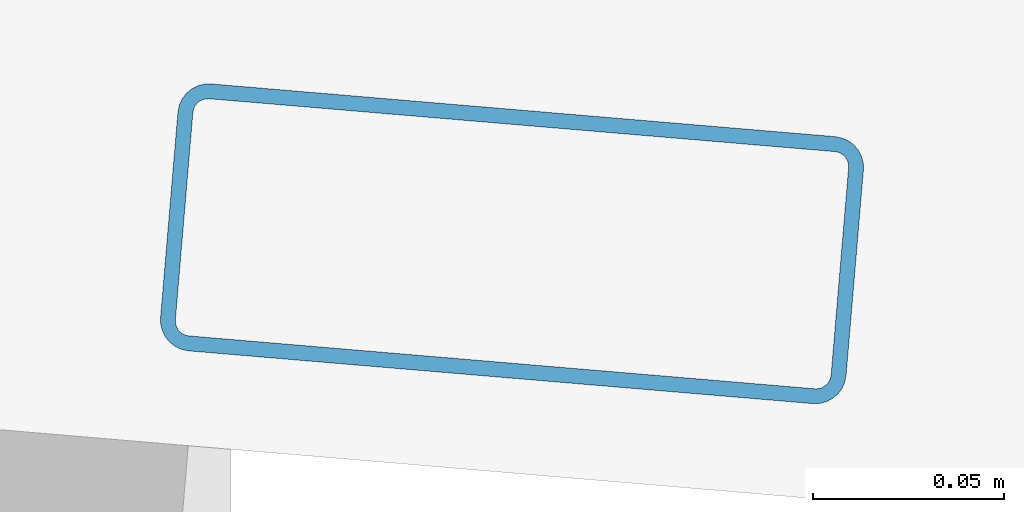
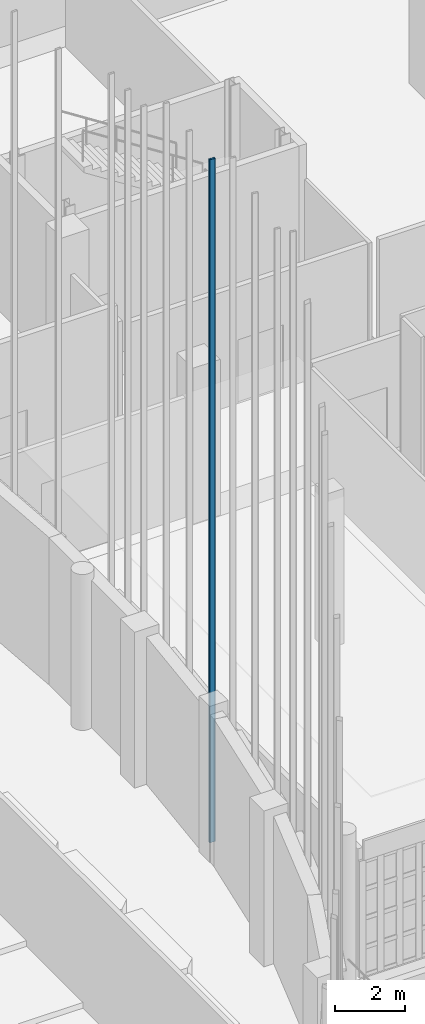
# One storey, part 117 of 372: 1 member.
"""IFC4 building model written with IfcOpenShell, lengths in metres."""

from ifc_helpers import new_model, si_unit, direction, frame, origin, origin_2d, place, context, subcontext, project, spatial, hollow_rectangle, extrude, material, material_profile, profile_set, type_object, element, save


model = new_model("IFC4")

# Units and contexts
model_context = context("Model", 3, precision=1e-05, world=origin(), true_north=direction((0.0, 1.0)))
body_context = subcontext(model_context, "Body", "Model", "MODEL_VIEW")
ifc_project = project(units=[si_unit("LENGTHUNIT", "METRE"), si_unit("AREAUNIT", "SQUARE_METRE"), si_unit("VOLUMEUNIT", "CUBIC_METRE"), si_unit("PLANEANGLEUNIT", "RADIAN"), si_unit("MASSUNIT", "GRAM", prefix="KILO")], contexts=[model_context])

# Site, building, storey
site_placement = place(None, origin())
site = spatial("IfcSite", under=ifc_project, at=site_placement, CompositionType="ELEMENT")
building_placement = place(site_placement, origin())
building = spatial("IfcBuilding", under=site, at=building_placement, Name="Kaelora Sail Theatre", CompositionType="ELEMENT")
storey_placement = place(building_placement, origin())
storey = spatial("IfcBuildingStorey", under=building, at=storey_placement, Name="L00", CompositionType="ELEMENT", Elevation=0.0)

# Member
ifc_material = material(Name="Anodised aluminium 6063-T6", Category="aluminium")
ifc_material_profile = material_profile(ifc_material, hollow_rectangle(XDim=0.070068359375, YDim=0.179931640625, WallThickness=0.00390625, InnerFilletRadius=0.00390625, OuterFilletRadius=0.008056640625, at=origin_2d()), Name="ALU-MULL 70x180x4")
ifc_profile_set = profile_set([ifc_material_profile], Name="Anodised aluminium 6063-T6")
member_type = type_object("IfcMemberType", Name="ARC-MEM-PST-160", PredefinedType="POST", material=ifc_profile_set)
member_placement = place(storey_placement, frame((58.473388671875, 46.703125, 0.0), z_axis=(0.0, 0.0, 1.0), x_axis=(-0.084199594279, -0.996448909038, 0.0)))
element("IfcMember", 1, at=member_placement, inside=storey, type_object=member_type, Name="Main Theatre Sail Drum solar louvre vertical support post C3-3", PredefinedType="POST", context=body_context, shape_type="SweptSolid", body=[
    extrude(hollow_rectangle(XDim=0.070068359375, YDim=0.179931640625, WallThickness=0.00390625, InnerFilletRadius=0.00390625, OuterFilletRadius=0.008056640625, at=origin_2d()), origin(), (0.0, 0.0, 1.0), 23.66259765625),
])

save(model, "model.ifc")
